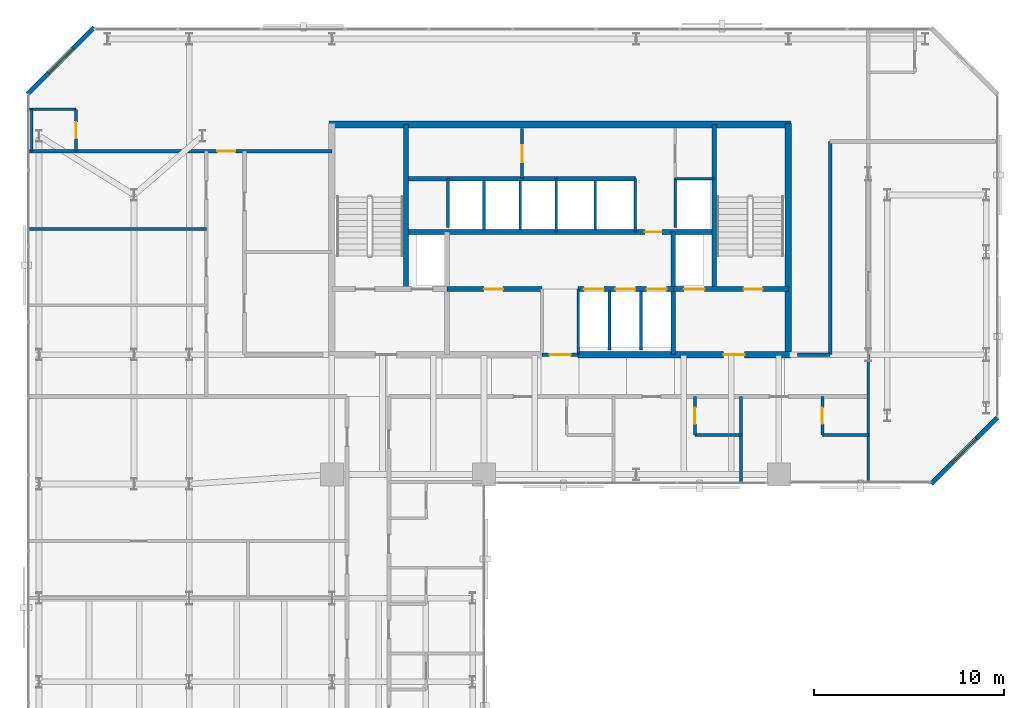
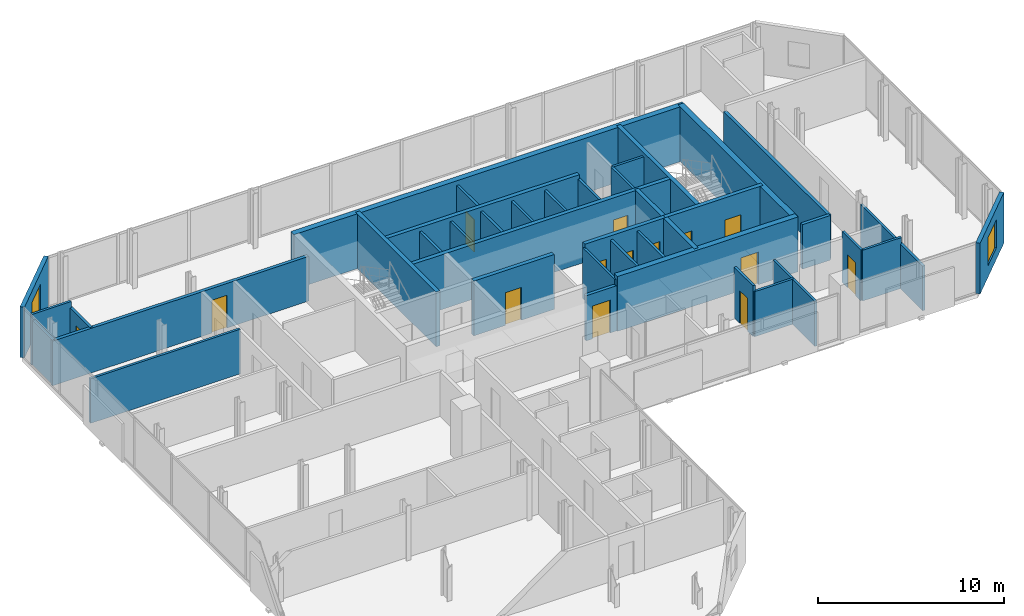
# One storey, part 29 of 32: 39 walls, 14 doors, 2 windows, 16 openings.
"""IFC4 building model written with IfcOpenShell, lengths in metres."""

from ifc_helpers import new_model, si_unit, direction, frame, frame_2d, origin, place, context, subcontext, project, spatial, rectangle, extrude, material, layer, layer_set, type_object, element, fill, save


model = new_model("IFC4")

# Units and contexts
model_context = context("Model", 3, precision=1e-05, world=origin(), true_north=direction((0.0, 1.0)))
body_context = subcontext(model_context, "Body", "Model", "MODEL_VIEW")
ifc_project = project(units=[si_unit("LENGTHUNIT", "METRE"), si_unit("AREAUNIT", "SQUARE_METRE"), si_unit("VOLUMEUNIT", "CUBIC_METRE"), si_unit("PLANEANGLEUNIT", "RADIAN"), si_unit("MASSUNIT", "GRAM", prefix="KILO")], contexts=[model_context])

# Site, building, storey
site_placement = place(None, origin())
site = spatial("IfcSite", under=ifc_project, at=site_placement, CompositionType="ELEMENT")
building_placement = place(site_placement, origin())
building = spatial("IfcBuilding", under=site, at=building_placement, Name="Catumbela Crestline Tower", CompositionType="ELEMENT")
storey_placement = place(building_placement, frame((0.0, 0.0, 133.2)))
storey = spatial("IfcBuildingStorey", under=building, at=storey_placement, Name="L34", CompositionType="ELEMENT", Elevation=133.2)

# Walls
ifc_material_1 = material(Name="Concrete C50/60", Category="concrete")
ifc_layer_1 = layer(ifc_material_1, 0.25, Name="Concrete C50/60")
ifc_layer_set_1 = layer_set([ifc_layer_1], Name="Concrete C50/60")
wall_type_1 = type_object("IfcWallType", Name="CW-250D", PredefinedType="SHEAR", material=ifc_layer_set_1)
for number, where, z_axis, x_axis, name in (
    (1, (19.9, 34.25, 0.0), (0.0, 0.0, 1.0), (0.0, 1.0, 0.0), "L34 Structural Core Shear Wall WWEB"),
    (2, (36.1, 34.25, 0.0), (0.0, 0.0, 1.0), (0.0, 1.0, 0.0), "L34 Structural Core Shear Wall EWEB"),
):
    element("IfcWall", number, at=place(storey_placement, frame(where, z_axis=z_axis, x_axis=x_axis)), inside=storey, type_object=wall_type_1, Name=name, PredefinedType="SHEAR", context=body_context, shape_type="SweptSolid", body=[
        extrude(rectangle(XDim=8.65, YDim=0.25, at=frame_2d((4.325, 0.0))), origin(), (0.0, 0.0, 1.0), 3.6),
    ])
wall_1_placement = place(storey_placement, frame((33.95, 30.8, 0.0), z_axis=(0.0, 0.0, 1.0), x_axis=(0.0, 1.0, 0.0)))
element("IfcWall", 3, at=wall_1_placement, inside=storey, type_object=wall_type_1, Name="L34 Structural Core Shear Wall FFE", PredefinedType="SHEAR", context=body_context, shape_type="SweptSolid", body=[
    extrude(rectangle(XDim=6.45, YDim=0.25, at=frame_2d((3.225, 0.0))), origin(), (0.0, 0.0, 1.0), 3.6),
])

# Wall, openings, doors
wall_2_placement = place(storey_placement, frame((33.95, 34.25, 0.0), z_axis=(0.0, 0.0, 1.0), x_axis=(1.0, 0.0, 0.0)))
wall_2 = element("IfcWall", 4, at=wall_2_placement, inside=storey, type_object=wall_type_1, Name="L34 Structural Core Shear Wall ST2S", PredefinedType="SHEAR", context=body_context, shape_type="SweptSolid", body=[
    extrude(rectangle(XDim=6.05, YDim=0.25, at=frame_2d((3.025, 0.0))), origin(), (0.0, 0.0, 1.0), 3.6),
])
opening_1_placement = place(wall_2_placement, frame((3.7, 0.0, 0.0)))
opening_1 = element("IfcOpeningElement", 5, at=opening_1_placement, cuts=wall_2, Name="Opening DF9-100", PredefinedType="OPENING", context=body_context, shape_type="SweptSolid", body=[
    extrude(rectangle(XDim=1.0, YDim=2.15, at=frame_2d((0.5, 1.075))), frame((0.0, 0.135, 0.0), z_axis=(0.0, -1.0, 0.0), x_axis=(1.0, 0.0, 0.0)), (0.0, 0.0, 1.0), 0.27),
])
opening_2_placement = place(wall_2_placement, frame((0.55, 0.0, 0.0)))
opening_2 = element("IfcOpeningElement", 6, at=opening_2_placement, cuts=wall_2, Name="Opening LD-110", PredefinedType="OPENING", context=body_context, shape_type="SweptSolid", body=[
    extrude(rectangle(XDim=1.1, YDim=2.15, at=frame_2d((0.55, 1.075))), frame((0.0, 0.135, 0.0), z_axis=(0.0, -1.0, 0.0), x_axis=(1.0, 0.0, 0.0)), (0.0, 0.0, 1.0), 0.27),
])
ifc_material_2 = material(Name="Stainless steel EN 1.4401", Category="steel")
door_type_1 = type_object("IfcDoorType", Name="DF9-100", OperationType="NOTDEFINED", PredefinedType="DOOR", material=ifc_material_2)
door_1_placement = place(opening_1_placement, origin())
door_1 = element("IfcDoor", 7, at=door_1_placement, inside=storey, type_object=door_type_1, Name="L34 Interior Door DR-L34-ST02", OperationType="SINGLE_SWING_RIGHT", OverallHeight=2.15, OverallWidth=1.0, PredefinedType="DOOR", context=body_context, shape_type="SweptSolid", body=[
    extrude(rectangle(XDim=1.0, YDim=2.15, at=frame_2d((0.5, 1.075))), frame((0.0, 0.025, 0.0), z_axis=(0.0, -1.0, 0.0), x_axis=(1.0, 0.0, 0.0)), (0.0, 0.0, 1.0), 0.05),
])
fill(opening_1, door_1)
door_type_2 = type_object("IfcDoorType", Name="LD-110", OperationType="NOTDEFINED", PredefinedType="DOOR", material=ifc_material_2)
door_2_placement = place(opening_2_placement, origin())
door_2 = element("IfcDoor", 8, at=door_2_placement, inside=storey, type_object=door_type_2, Name="L34 Lift Landing Sliding Door FL-02", OperationType="DOUBLE_DOOR_SLIDING", OverallHeight=2.15, OverallWidth=1.1, PredefinedType="DOOR", context=body_context, shape_type="SweptSolid", body=[
    extrude(rectangle(XDim=1.1, YDim=2.15, at=frame_2d((0.55, 1.075))), frame((0.0, 0.025, 0.0), z_axis=(0.0, -1.0, 0.0), x_axis=(1.0, 0.0, 0.0)), (0.0, 0.0, 1.0), 0.05),
])
fill(opening_2, door_2)

# Wall, opening, door
wall_3_placement = place(storey_placement, frame((22.05, 34.25, 0.0), z_axis=(0.0, 0.0, 1.0), x_axis=(1.0, 0.0, 0.0)))
wall_3 = element("IfcWall", 9, at=wall_3_placement, inside=storey, type_object=wall_type_1, Name="L34 Structural Core Shear Wall LIFTS-W", PredefinedType="SHEAR", context=body_context, shape_type="SweptSolid", body=[
    extrude(rectangle(XDim=5.0, YDim=0.25, at=frame_2d((2.5, 0.0))), origin(), (0.0, 0.0, 1.0), 3.6),
])
opening_3_placement = place(wall_3_placement, frame((1.95, 0.0, 0.0)))
opening_3 = element("IfcOpeningElement", 10, at=opening_3_placement, cuts=wall_3, Name="Opening DF9-100", PredefinedType="OPENING", context=body_context, shape_type="SweptSolid", body=[
    extrude(rectangle(XDim=1.0, YDim=2.15, at=frame_2d((0.5, 1.075))), frame((0.0, 0.135, 0.0), z_axis=(0.0, -1.0, 0.0), x_axis=(1.0, 0.0, 0.0)), (0.0, 0.0, 1.0), 0.27),
])
door_3_placement = place(opening_3_placement, origin())
door_3 = element("IfcDoor", 11, at=door_3_placement, inside=storey, type_object=door_type_1, Name="L34 Interior Door DR-L34-RECL1", OperationType="SINGLE_SWING_LEFT", OverallHeight=2.15, OverallWidth=1.0, PredefinedType="DOOR", context=body_context, shape_type="SweptSolid", body=[
    extrude(rectangle(XDim=1.0, YDim=2.15, at=frame_2d((0.5, 1.075))), frame((0.0, 0.025, 0.0), z_axis=(0.0, -1.0, 0.0), x_axis=(1.0, 0.0, 0.0)), (0.0, 0.0, 1.0), 0.05),
])
fill(opening_3, door_3)

# Wall, openings, doors
wall_4_placement = place(storey_placement, frame((28.95, 34.25, 0.0), z_axis=(0.0, 0.0, 1.0), x_axis=(1.0, 0.0, 0.0)))
wall_4 = element("IfcWall", 12, at=wall_4_placement, inside=storey, type_object=wall_type_1, Name="L34 Structural Core Shear Wall LIFTS-E", PredefinedType="SHEAR", context=body_context, shape_type="SweptSolid", body=[
    extrude(rectangle(XDim=5.0, YDim=0.25, at=frame_2d((2.5, 0.0))), origin(), (0.0, 0.0, 1.0), 3.6),
])
opening_4_placement = place(wall_4_placement, frame((0.3, 0.0, 0.0)))
opening_4 = element("IfcOpeningElement", 13, at=opening_4_placement, cuts=wall_4, Name="Opening LD-105", PredefinedType="OPENING", context=body_context, shape_type="SweptSolid", body=[
    extrude(rectangle(XDim=1.05, YDim=2.15, at=frame_2d((0.525, 1.075))), frame((0.0, 0.135, 0.0), z_axis=(0.0, -1.0, 0.0), x_axis=(1.0, 0.0, 0.0)), (0.0, 0.0, 1.0), 0.27),
])
opening_5_placement = place(wall_4_placement, frame((1.95, 0.0, 0.0)))
opening_5 = element("IfcOpeningElement", 14, at=opening_5_placement, cuts=wall_4, Name="Opening LD-105", PredefinedType="OPENING", context=body_context, shape_type="SweptSolid", body=[
    extrude(rectangle(XDim=1.05, YDim=2.15, at=frame_2d((0.525, 1.075))), frame((0.0, 0.135, 0.0), z_axis=(0.0, -1.0, 0.0), x_axis=(1.0, 0.0, 0.0)), (0.0, 0.0, 1.0), 0.27),
])
opening_6_placement = place(wall_4_placement, frame((3.6, 0.0, 0.0)))
opening_6 = element("IfcOpeningElement", 15, at=opening_6_placement, cuts=wall_4, Name="Opening LD-105", PredefinedType="OPENING", context=body_context, shape_type="SweptSolid", body=[
    extrude(rectangle(XDim=1.05, YDim=2.15, at=frame_2d((0.525, 1.075))), frame((0.0, 0.135, 0.0), z_axis=(0.0, -1.0, 0.0), x_axis=(1.0, 0.0, 0.0)), (0.0, 0.0, 1.0), 0.27),
])
door_type_3 = type_object("IfcDoorType", Name="LD-105", OperationType="NOTDEFINED", PredefinedType="DOOR", material=ifc_material_2)
door_4_placement = place(opening_4_placement, origin())
door_4 = element("IfcDoor", 16, at=door_4_placement, inside=storey, type_object=door_type_3, Name="L34 Lift Landing Sliding Door PL-M1", OperationType="DOUBLE_DOOR_SLIDING", OverallHeight=2.15, OverallWidth=1.05, PredefinedType="DOOR", context=body_context, shape_type="SweptSolid", body=[
    extrude(rectangle(XDim=1.05, YDim=2.15, at=frame_2d((0.525, 1.075))), frame((0.0, 0.025, 0.0), z_axis=(0.0, -1.0, 0.0), x_axis=(1.0, 0.0, 0.0)), (0.0, 0.0, 1.0), 0.05),
])
fill(opening_4, door_4)
door_5_placement = place(opening_5_placement, origin())
door_5 = element("IfcDoor", 17, at=door_5_placement, inside=storey, type_object=door_type_3, Name="L34 Lift Landing Sliding Door PL-M2", OperationType="DOUBLE_DOOR_SLIDING", OverallHeight=2.15, OverallWidth=1.05, PredefinedType="DOOR", context=body_context, shape_type="SweptSolid", body=[
    extrude(rectangle(XDim=1.05, YDim=2.15, at=frame_2d((0.525, 1.075))), frame((0.0, 0.025, 0.0), z_axis=(0.0, -1.0, 0.0), x_axis=(1.0, 0.0, 0.0)), (0.0, 0.0, 1.0), 0.05),
])
fill(opening_5, door_5)
door_6_placement = place(opening_6_placement, origin())
door_6 = element("IfcDoor", 18, at=door_6_placement, inside=storey, type_object=door_type_3, Name="L34 Lift Landing Sliding Door PL-M3", OperationType="DOUBLE_DOOR_SLIDING", OverallHeight=2.15, OverallWidth=1.05, PredefinedType="DOOR", context=body_context, shape_type="SweptSolid", body=[
    extrude(rectangle(XDim=1.05, YDim=2.15, at=frame_2d((0.525, 1.075))), frame((0.0, 0.025, 0.0), z_axis=(0.0, -1.0, 0.0), x_axis=(1.0, 0.0, 0.0)), (0.0, 0.0, 1.0), 0.05),
])
fill(opening_6, door_6)

# Wall, opening, door
wall_5_placement = place(storey_placement, frame((19.9, 37.25, 0.0), z_axis=(0.0, 0.0, 1.0), x_axis=(1.0, 0.0, 0.0)))
wall_5 = element("IfcWall", 19, at=wall_5_placement, inside=storey, type_object=wall_type_1, Name="L34 Structural Core Shear Wall LIFTN", PredefinedType="SHEAR", context=body_context, shape_type="SweptSolid", body=[
    extrude(rectangle(XDim=16.2, YDim=0.25, at=frame_2d((8.1, 0.0))), origin(), (0.0, 0.0, 1.0), 3.6),
])
opening_7_placement = place(wall_5_placement, frame((12.55, 0.0, 0.0)))
opening_7 = element("IfcOpeningElement", 20, at=opening_7_placement, cuts=wall_5, Name="Opening DF9-090", PredefinedType="OPENING", context=body_context, shape_type="SweptSolid", body=[
    extrude(rectangle(XDim=0.9, YDim=2.15, at=frame_2d((0.45, 1.075))), frame((0.0, 0.135, 0.0), z_axis=(0.0, -1.0, 0.0), x_axis=(1.0, 0.0, 0.0)), (0.0, 0.0, 1.0), 0.27),
])
door_type_4 = type_object("IfcDoorType", Name="DF9-090", OperationType="NOTDEFINED", PredefinedType="DOOR", material=ifc_material_2)
door_7_placement = place(opening_7_placement, origin())
door_7 = element("IfcDoor", 21, at=door_7_placement, inside=storey, type_object=door_type_4, Name="L34 Interior Door DR-L34-CPAS1", OperationType="SINGLE_SWING_LEFT", OverallHeight=2.15, OverallWidth=0.9, PredefinedType="DOOR", context=body_context, shape_type="SweptSolid", body=[
    extrude(rectangle(XDim=0.9, YDim=2.15, at=frame_2d((0.45, 1.075))), frame((0.0, 0.025, 0.0), z_axis=(0.0, -1.0, 0.0), x_axis=(1.0, 0.0, 0.0)), (0.0, 0.0, 1.0), 0.05),
])
fill(opening_7, door_7)

# Walls
wall_6_placement = place(storey_placement, frame((19.9, 40.05, 0.0), z_axis=(0.0, 0.0, 1.0), x_axis=(1.0, 0.0, 0.0)))
element("IfcWall", 22, at=wall_6_placement, inside=storey, type_object=wall_type_1, Name="L34 Structural Core Shear Wall COREN", PredefinedType="SHEAR", context=body_context, shape_type="SweptSolid", body=[
    extrude(rectangle(XDim=12.05, YDim=0.25, at=frame_2d((6.025, 0.0))), origin(), (0.0, 0.0, 1.0), 3.6),
])
ifc_layer_2 = layer(ifc_material_1, 0.35, Name="Concrete C50/60")
ifc_layer_set_2 = layer_set([ifc_layer_2], Name="Concrete C50/60")
wall_type_2 = type_object("IfcWallType", Name="CW-350B", PredefinedType="SHEAR", material=ifc_layer_set_2)
wall_7_placement = place(storey_placement, frame((40.0, 30.65, 0.0), z_axis=(0.0, 0.0, 1.0), x_axis=(0.0, 1.0, 0.0)))
element("IfcWall", 23, at=wall_7_placement, inside=storey, type_object=wall_type_2, Name="L34 Structural Core Shear Wall E", PredefinedType="SHEAR", context=body_context, shape_type="SweptSolid", body=[
    extrude(rectangle(XDim=12.3, YDim=0.35, at=frame_2d((6.15, 0.0))), origin(), (0.0, 0.0, 1.0), 3.6),
])
wall_8_placement = place(storey_placement, frame((15.85, 42.9, 0.0), z_axis=(0.0, 0.0, 1.0), x_axis=(1.0, 0.0, 0.0)))
element("IfcWall", 24, at=wall_8_placement, inside=storey, type_object=wall_type_2, Name="L34 Structural Core Shear Wall N", PredefinedType="SHEAR", context=body_context, shape_type="SweptSolid", body=[
    extrude(rectangle(XDim=24.3, YDim=0.35, at=frame_2d((12.15, 0.0))), origin(), (0.0, 0.0, 1.0), 3.6),
])

# Wall, opening, door
wall_9_placement = place(storey_placement, frame((28.95, 30.8, 0.0), z_axis=(0.0, 0.0, 1.0), x_axis=(1.0, 0.0, 0.0)))
wall_9 = element("IfcWall", 25, at=wall_9_placement, inside=storey, type_object=wall_type_2, Name="L34 Structural Core Shear Wall SE", PredefinedType="SHEAR", context=body_context, shape_type="SweptSolid", body=[
    extrude(rectangle(XDim=11.2, YDim=0.35, at=frame_2d((5.6, 0.0))), origin(), (0.0, 0.0, 1.0), 3.6),
])
opening_8_placement = place(wall_9_placement, frame((7.65, 0.0, 0.0)))
opening_8 = element("IfcOpeningElement", 26, at=opening_8_placement, cuts=wall_9, Name="Opening DF9-110", PredefinedType="OPENING", context=body_context, shape_type="SweptSolid", body=[
    extrude(rectangle(XDim=1.1, YDim=2.15, at=frame_2d((0.55, 1.075))), frame((0.0, 0.185, 0.0), z_axis=(0.0, -1.0, 0.0), x_axis=(1.0, 0.0, 0.0)), (0.0, 0.0, 1.0), 0.37),
])
door_type_5 = type_object("IfcDoorType", Name="DF9-110", OperationType="NOTDEFINED", PredefinedType="DOOR", material=ifc_material_2)
door_8_placement = place(opening_8_placement, origin())
door_8 = element("IfcDoor", 27, at=door_8_placement, inside=storey, type_object=door_type_5, Name="L34 Interior Door DR-L34-FFE-S", OperationType="SINGLE_SWING_RIGHT", OverallHeight=2.15, OverallWidth=1.1, PredefinedType="DOOR", context=body_context, shape_type="SweptSolid", body=[
    extrude(rectangle(XDim=1.1, YDim=2.15, at=frame_2d((0.55, 1.075))), frame((0.0, 0.025, 0.0), z_axis=(0.0, -1.0, 0.0), x_axis=(1.0, 0.0, 0.0)), (0.0, 0.0, 1.0), 0.05),
])
fill(opening_8, door_8)

ifc_material_3 = material(Name="Acoustic gypsum and mineral-wool partition")
ifc_layer_3 = layer(ifc_material_3, 0.2, Name="Acoustic gypsum and mineral-wool partition")
ifc_layer_set_3 = layer_set([ifc_layer_3], Name="Acoustic gypsum and mineral-wool partition")
wall_type_3 = type_object("IfcWallType", Name="WC-200", PredefinedType="PARTITIONING", material=ifc_layer_set_3)
wall_10_placement = place(storey_placement, frame((27.05, 30.8, 0.0), z_axis=(0.0, 0.0, 1.0), x_axis=(1.0, 0.0, 0.0)))
wall_10 = element("IfcWall", 28, at=wall_10_placement, inside=storey, type_object=wall_type_3, Name="L34 Interior Partition PW-L34-CLOBS", PredefinedType="PARTITIONING", context=body_context, shape_type="SweptSolid", body=[
    extrude(rectangle(XDim=1.9, YDim=0.2, at=frame_2d((0.95, 0.0))), origin(), (0.0, 0.0, 1.0), 2.96),
])
opening_9_placement = place(wall_10_placement, frame((0.4, 0.0, 0.0)))
opening_9 = element("IfcOpeningElement", 29, at=opening_9_placement, cuts=wall_10, Name="Opening DF9-110", PredefinedType="OPENING", context=body_context, shape_type="SweptSolid", body=[
    extrude(rectangle(XDim=1.1, YDim=2.15, at=frame_2d((0.55, 1.075))), frame((0.0, 0.11, 0.0), z_axis=(0.0, -1.0, 0.0), x_axis=(1.0, 0.0, 0.0)), (0.0, 0.0, 1.0), 0.22),
])
door_9_placement = place(opening_9_placement, origin())
door_9 = element("IfcDoor", 30, at=door_9_placement, inside=storey, type_object=door_type_5, Name="L34 Interior Door DR-L34-CLOBS", OperationType="SINGLE_SWING_LEFT", OverallHeight=2.15, OverallWidth=1.1, PredefinedType="DOOR", context=body_context, shape_type="SweptSolid", body=[
    extrude(rectangle(XDim=1.1, YDim=2.15, at=frame_2d((0.55, 1.075))), frame((0.0, 0.025, 0.0), z_axis=(0.0, -1.0, 0.0), x_axis=(1.0, 0.0, 0.0)), (0.0, 0.0, 1.0), 0.05),
])
fill(opening_9, door_9)

# Walls
wall_11_placement = place(storey_placement, frame((40.47, 30.8, 0.0), z_axis=(0.0, 0.0, 1.0), x_axis=(1.0, 0.0, 0.0)))
element("IfcWall", 31, at=wall_11_placement, inside=storey, type_object=wall_type_3, Name="L34 Interior Partition PW-L34-Z2CW-E1", PredefinedType="PARTITIONING", context=body_context, shape_type="SweptSolid", body=[
    extrude(rectangle(XDim=1.73, YDim=0.2, at=frame_2d((0.865, 0.0))), origin(), (0.0, 0.0, 1.0), 2.93),
])
wall_12_placement = place(storey_placement, frame((42.2, 30.8, 0.0), z_axis=(0.0, 0.0, 1.0), x_axis=(0.0, 1.0, 0.0)))
element("IfcWall", 32, at=wall_12_placement, inside=storey, type_object=wall_type_3, Name="L34 Interior Partition PW-L34-Z2CW-E2", PredefinedType="PARTITIONING", context=body_context, shape_type="SweptSolid", body=[
    extrude(rectangle(XDim=11.2, YDim=0.2, at=frame_2d((5.6, 0.0))), origin(), (0.0, 0.0, 1.0), 2.93),
])

# Wall, opening, door
wall_13_placement = place(storey_placement, frame((0.1, 41.5, 0.0), z_axis=(0.0, 0.0, 1.0), x_axis=(1.0, 0.0, 0.0)))
wall_13 = element("IfcWall", 33, at=wall_13_placement, inside=storey, type_object=wall_type_3, Name="L34 Interior Partition PW-L34-Z2NWT-ENT", PredefinedType="PARTITIONING", context=body_context, shape_type="SweptSolid", body=[
    extrude(rectangle(XDim=15.9, YDim=0.2, at=frame_2d((7.95, 0.0))), origin(), (0.0, 0.0, 1.0), 2.93),
])
opening_10_placement = place(wall_13_placement, frame((9.8771, 0.0, 0.0)))
opening_10 = element("IfcOpeningElement", 34, at=opening_10_placement, cuts=wall_13, Name="Opening DF6-095", PredefinedType="OPENING", context=body_context, shape_type="SweptSolid", body=[
    extrude(rectangle(XDim=0.95, YDim=2.15, at=frame_2d((0.475, 1.075))), frame((0.0, 0.11, 0.0), z_axis=(0.0, -1.0, 0.0), x_axis=(1.0, 0.0, 0.0)), (0.0, 0.0, 1.0), 0.22),
])
ifc_material_4 = material(Name="Aluminium alloy AW-6060-T66", Category="aluminium")
door_type_6 = type_object("IfcDoorType", Name="DF6-095", OperationType="NOTDEFINED", PredefinedType="DOOR", material=ifc_material_4)
door_10_placement = place(opening_10_placement, origin())
door_10 = element("IfcDoor", 35, at=door_10_placement, inside=storey, type_object=door_type_6, Name="L34 Interior Door DR-L34-Z2NWT-ENT", OperationType="SINGLE_SWING_RIGHT", OverallHeight=2.15, OverallWidth=0.95, PredefinedType="DOOR", context=body_context, shape_type="SweptSolid", body=[
    extrude(rectangle(XDim=0.95, YDim=2.15, at=frame_2d((0.475, 1.075))), frame((0.0, 0.025, 0.0), z_axis=(0.0, -1.0, 0.0), x_axis=(1.0, 0.0, 0.0)), (0.0, 0.0, 1.0), 0.05),
])
fill(opening_10, door_10)

# Wall, opening, window
ifc_material_5 = material(Name="Angolan grey-ochre granite", Category="masonry")
ifc_layer_4 = layer(ifc_material_5, 0.25, Name="Angolan grey-ochre granite")
ifc_layer_set_4 = layer_set([ifc_layer_4], Name="Angolan grey-ochre granite")
wall_type_4 = type_object("IfcWallType", Name="WE-250", PredefinedType="STANDARD", material=ifc_layer_set_4)
wall_14_placement = place(storey_placement, frame((47.5, 24.0, 0.0), z_axis=(0.0, 0.0, 1.0), x_axis=(0.707106781187, 0.707106781187, 0.0)))
wall_14 = element("IfcWall", 36, at=wall_14_placement, inside=storey, type_object=wall_type_4, Name="L34 Granite Punched Window Wall 4-1", PredefinedType="STANDARD", context=body_context, shape_type="SweptSolid", body=[
    extrude(rectangle(XDim=4.9497, YDim=0.25, at=frame_2d((2.4748, 0.0))), origin(), (0.0, 0.0, 1.0), 3.33),
])
opening_11_placement = place(wall_14_placement, frame((1.5749, 0.0, 0.75)))
opening_11 = element("IfcOpeningElement", 37, at=opening_11_placement, cuts=wall_14, Name="Opening WN-01", PredefinedType="OPENING", context=body_context, shape_type="SweptSolid", body=[
    extrude(rectangle(XDim=1.8, YDim=1.85, at=frame_2d((0.9, 0.925))), frame((0.0, 0.135, 0.0), z_axis=(0.0, -1.0, 0.0), x_axis=(1.0, 0.0, 0.0)), (0.0, 0.0, 1.0), 0.27),
])
ifc_material_6 = material(Name="Low-E laminated solar-control double glazing", Category="glass")
window_type = type_object("IfcWindowType", Name="WF-1800", PartitioningType="SINGLE_PANEL", PredefinedType="WINDOW", material=ifc_material_6)
window_1_placement = place(opening_11_placement, origin())
window_1 = element("IfcWindow", 38, at=window_1_placement, inside=storey, type_object=window_type, Name="L34 Facade Vision Window 191", OverallHeight=1.85, OverallWidth=1.8, PartitioningType="SINGLE_PANEL", PredefinedType="WINDOW", context=body_context, shape_type="SweptSolid", body=[
    extrude(rectangle(XDim=1.8, YDim=1.85, at=frame_2d((0.9, 0.925))), frame((0.0, 0.03, 0.0), z_axis=(0.0, -1.0, 0.0), x_axis=(1.0, 0.0, 0.0)), (0.0, 0.0, 1.0), 0.06),
])
fill(opening_11, window_1)

wall_15_placement = place(storey_placement, frame((3.5, 48.0, 0.0), z_axis=(0.0, 0.0, 1.0), x_axis=(-0.707106781187, -0.707106781187, 0.0)))
wall_15 = element("IfcWall", 39, at=wall_15_placement, inside=storey, type_object=wall_type_4, Name="L34 Granite Punched Window Wall 8-1", PredefinedType="STANDARD", context=body_context, shape_type="SweptSolid", body=[
    extrude(rectangle(XDim=4.9497, YDim=0.25, at=frame_2d((2.4748, 0.0))), origin(), (0.0, 0.0, 1.0), 3.33),
])
opening_12_placement = place(wall_15_placement, frame((1.5749, 0.0, 0.75)))
opening_12 = element("IfcOpeningElement", 40, at=opening_12_placement, cuts=wall_15, Name="Opening WN-01", PredefinedType="OPENING", context=body_context, shape_type="SweptSolid", body=[
    extrude(rectangle(XDim=1.8, YDim=1.85, at=frame_2d((0.9, 0.925))), frame((0.0, 0.135, 0.0), z_axis=(0.0, -1.0, 0.0), x_axis=(1.0, 0.0, 0.0)), (0.0, 0.0, 1.0), 0.27),
])
window_2_placement = place(opening_12_placement, origin())
window_2 = element("IfcWindow", 41, at=window_2_placement, inside=storey, type_object=window_type, Name="L34 Facade Vision Window 193", OverallHeight=1.85, OverallWidth=1.8, PartitioningType="SINGLE_PANEL", PredefinedType="WINDOW", context=body_context, shape_type="SweptSolid", body=[
    extrude(rectangle(XDim=1.8, YDim=1.85, at=frame_2d((0.9, 0.925))), frame((0.0, 0.03, 0.0), z_axis=(0.0, -1.0, 0.0), x_axis=(1.0, 0.0, 0.0)), (0.0, 0.0, 1.0), 0.06),
])
fill(opening_12, window_2)

# Wall
ifc_layer_5 = layer(ifc_material_3, 0.15, Name="Acoustic gypsum and mineral-wool partition")
ifc_layer_set_5 = layer_set([ifc_layer_5], Name="Acoustic gypsum and mineral-wool partition")
wall_type_5 = type_object("IfcWallType", Name="WP-150", PredefinedType="PARTITIONING", material=ifc_layer_set_5)
wall_16_placement = place(storey_placement, frame((34.05, 40.05, 0.0), z_axis=(0.0, 0.0, 1.0), x_axis=(1.0, 0.0, 0.0)))
element("IfcWall", 42, at=wall_16_placement, inside=storey, type_object=wall_type_5, Name="L34 Interior Partition PW-L34-CR-ES", PredefinedType="PARTITIONING", context=body_context, shape_type="SweptSolid", body=[
    extrude(rectangle(XDim=2.05, YDim=0.15, at=frame_2d((1.025, 0.0))), origin(), (0.0, 0.0, 1.0), 3.33),
])

# Wall, opening, door
wall_17_placement = place(storey_placement, frame((26.0, 40.05, 0.0), z_axis=(0.0, 0.0, 1.0), x_axis=(0.0, 1.0, 0.0)))
wall_17 = element("IfcWall", 43, at=wall_17_placement, inside=storey, type_object=wall_type_5, Name="L34 Interior Partition PW-L34-CR-WW", PredefinedType="PARTITIONING", context=body_context, shape_type="SweptSolid", body=[
    extrude(rectangle(XDim=2.63, YDim=0.15, at=frame_2d((1.315, 0.0))), origin(), (0.0, 0.0, 1.0), 3.33),
])
opening_13_placement = place(wall_17_placement, frame((0.865, 0.0, 0.0)))
opening_13 = element("IfcOpeningElement", 44, at=opening_13_placement, cuts=wall_17, Name="Opening DF9-090", PredefinedType="OPENING", context=body_context, shape_type="SweptSolid", body=[
    extrude(rectangle(XDim=0.9, YDim=2.15, at=frame_2d((0.45, 1.075))), frame((0.0, 0.085, 0.0), z_axis=(0.0, -1.0, 0.0), x_axis=(1.0, 0.0, 0.0)), (0.0, 0.0, 1.0), 0.17),
])
door_11_placement = place(opening_13_placement, origin())
door_11 = element("IfcDoor", 45, at=door_11_placement, inside=storey, type_object=door_type_4, Name="L34 Interior Door DR-L34-CRWEST", OperationType="SINGLE_SWING_LEFT", OverallHeight=2.15, OverallWidth=0.9, PredefinedType="DOOR", context=body_context, shape_type="SweptSolid", body=[
    extrude(rectangle(XDim=0.9, YDim=2.15, at=frame_2d((0.45, 1.075))), frame((0.0, 0.025, 0.0), z_axis=(0.0, -1.0, 0.0), x_axis=(1.0, 0.0, 0.0)), (0.0, 0.0, 1.0), 0.05),
])
fill(opening_13, door_11)

# Wall
wall_18_placement = place(storey_placement, frame((0.1, 43.7, 0.0), z_axis=(0.0, 0.0, 1.0), x_axis=(1.0, 0.0, 0.0)))
element("IfcWall", 46, at=wall_18_placement, inside=storey, type_object=wall_type_5, Name="L34 Interior Partition PW-L34-Z2NWT-BHW", PredefinedType="PARTITIONING", context=body_context, shape_type="SweptSolid", body=[
    extrude(rectangle(XDim=2.45, YDim=0.15, at=frame_2d((1.225, 0.0))), origin(), (0.0, 0.0, 1.0), 3.33),
])

# Wall, opening, door
wall_19_placement = place(storey_placement, frame((2.55, 41.5, 0.0), z_axis=(0.0, 0.0, 1.0), x_axis=(0.0, 1.0, 0.0)))
wall_19 = element("IfcWall", 47, at=wall_19_placement, inside=storey, type_object=wall_type_5, Name="L34 Interior Partition PW-L34-Z2NWT-BEW", PredefinedType="PARTITIONING", context=body_context, shape_type="SweptSolid", body=[
    extrude(rectangle(XDim=2.2, YDim=0.15, at=frame_2d((1.1, 0.0))), origin(), (0.0, 0.0, 1.0), 2.93),
])
opening_14_placement = place(wall_19_placement, frame((0.675, 0.0, 0.0)))
opening_14 = element("IfcOpeningElement", 48, at=opening_14_placement, cuts=wall_19, Name="Opening DI-085", PredefinedType="OPENING", context=body_context, shape_type="SweptSolid", body=[
    extrude(rectangle(XDim=0.85, YDim=2.15, at=frame_2d((0.425, 1.075))), frame((0.0, 0.085, 0.0), z_axis=(0.0, -1.0, 0.0), x_axis=(1.0, 0.0, 0.0)), (0.0, 0.0, 1.0), 0.17),
])
door_type_7 = type_object("IfcDoorType", Name="DI-085", OperationType="NOTDEFINED", PredefinedType="DOOR", material=ifc_material_4)
door_12_placement = place(opening_14_placement, origin())
door_12 = element("IfcDoor", 49, at=door_12_placement, inside=storey, type_object=door_type_7, Name="L34 Interior Door DR-L34-Z2NWT-BTH", OperationType="SINGLE_SWING_LEFT", OverallHeight=2.15, OverallWidth=0.85, PredefinedType="DOOR", context=body_context, shape_type="SweptSolid", body=[
    extrude(rectangle(XDim=0.85, YDim=2.15, at=frame_2d((0.425, 1.075))), frame((0.0, 0.025, 0.0), z_axis=(0.0, -1.0, 0.0), x_axis=(1.0, 0.0, 0.0)), (0.0, 0.0, 1.0), 0.05),
])
fill(opening_14, door_12)

# Walls
wall_20_placement = place(storey_placement, frame((0.22, 41.5, 0.0), z_axis=(0.0, 0.0, 1.0), x_axis=(0.0, 1.0, 0.0)))
element("IfcWall", 50, at=wall_20_placement, inside=storey, type_object=wall_type_5, Name="L34 Interior Partition PW-L34-Z2NWT-BCL-2", PredefinedType="PARTITIONING", context=body_context, shape_type="SweptSolid", body=[
    extrude(rectangle(XDim=2.2, YDim=0.15, at=frame_2d((1.1, 0.0))), origin(), (0.0, 0.0, 1.0), 2.93),
])
wall_21_placement = place(storey_placement, frame((0.1, 37.4, 0.0), z_axis=(0.0, 0.0, 1.0), x_axis=(1.0, 0.0, 0.0)))
element("IfcWall", 51, at=wall_21_placement, inside=storey, type_object=wall_type_5, Name="L34 Interior Partition PW-L34-Z2G4-2", PredefinedType="PARTITIONING", context=body_context, shape_type="SweptSolid", body=[
    extrude(rectangle(XDim=9.3, YDim=0.15, at=frame_2d((4.65, 0.0))), origin(), (0.0, 0.0, 1.0), 2.93),
])
wall_22_placement = place(storey_placement, frame((35.088, 26.576, 0.0), z_axis=(0.0, 0.0, 1.0), x_axis=(1.0, 0.0, 0.0)))
element("IfcWall", 52, at=wall_22_placement, inside=storey, type_object=wall_type_5, Name="L34 Interior Partition PW-L34-SS2-BHW", PredefinedType="PARTITIONING", context=body_context, shape_type="SweptSolid", body=[
    extrude(rectangle(XDim=2.412, YDim=0.15, at=frame_2d((1.206, 0.0))), origin(), (0.0, 0.0, 1.0), 2.96),
])

# Wall, opening, door
wall_23_placement = place(storey_placement, frame((35.088, 26.576, 0.0), z_axis=(0.0, 0.0, 1.0), x_axis=(0.0, 1.0, 0.0)))
wall_23 = element("IfcWall", 53, at=wall_23_placement, inside=storey, type_object=wall_type_5, Name="L34 Interior Partition PW-L34-SS2-BWW", PredefinedType="PARTITIONING", context=body_context, shape_type="SweptSolid", body=[
    extrude(rectangle(XDim=2.024, YDim=0.15, at=frame_2d((1.012, 0.0))), origin(), (0.0, 0.0, 1.0), 3.33),
])
opening_15_placement = place(wall_23_placement, frame((0.587, 0.0, 0.0)))
opening_15 = element("IfcOpeningElement", 54, at=opening_15_placement, cuts=wall_23, Name="Opening DI-085", PredefinedType="OPENING", context=body_context, shape_type="SweptSolid", body=[
    extrude(rectangle(XDim=0.85, YDim=2.15, at=frame_2d((0.425, 1.075))), frame((0.0, 0.085, 0.0), z_axis=(0.0, -1.0, 0.0), x_axis=(1.0, 0.0, 0.0)), (0.0, 0.0, 1.0), 0.17),
])
door_13_placement = place(opening_15_placement, origin())
door_13 = element("IfcDoor", 55, at=door_13_placement, inside=storey, type_object=door_type_7, Name="L34 Interior Door DR-L34-SS2-BTH", OperationType="SINGLE_SWING_RIGHT", OverallHeight=2.15, OverallWidth=0.85, PredefinedType="DOOR", context=body_context, shape_type="SweptSolid", body=[
    extrude(rectangle(XDim=0.85, YDim=2.15, at=frame_2d((0.425, 1.075))), frame((0.0, 0.025, 0.0), z_axis=(0.0, -1.0, 0.0), x_axis=(1.0, 0.0, 0.0)), (0.0, 0.0, 1.0), 0.05),
])
fill(opening_15, door_13)

# Walls
wall_24_placement = place(storey_placement, frame((37.5, 28.6, 0.0), z_axis=(0.0, 0.0, 1.0), x_axis=(0.0, -1.0, 0.0)))
element("IfcWall", 56, at=wall_24_placement, inside=storey, type_object=wall_type_5, Name="L34 Interior Partition PW-L34-SS2-BCL-2", PredefinedType="PARTITIONING", context=body_context, shape_type="SweptSolid", body=[
    extrude(rectangle(XDim=4.5, YDim=0.15, at=frame_2d((2.25, 0.0))), origin(), (0.0, 0.0, 1.0), 2.96),
])
wall_25_placement = place(storey_placement, frame((41.788, 26.576, 0.0), z_axis=(0.0, 0.0, 1.0), x_axis=(1.0, 0.0, 0.0)))
element("IfcWall", 57, at=wall_25_placement, inside=storey, type_object=wall_type_5, Name="L34 Interior Partition PW-L34-SS3-BHW", PredefinedType="PARTITIONING", context=body_context, shape_type="SweptSolid", body=[
    extrude(rectangle(XDim=2.412, YDim=0.15, at=frame_2d((1.206, 0.0))), origin(), (0.0, 0.0, 1.0), 3.33),
])

# Wall, opening, door
wall_26_placement = place(storey_placement, frame((41.788, 26.576, 0.0), z_axis=(0.0, 0.0, 1.0), x_axis=(0.0, 1.0, 0.0)))
wall_26 = element("IfcWall", 58, at=wall_26_placement, inside=storey, type_object=wall_type_5, Name="L34 Interior Partition PW-L34-SS3-BWW", PredefinedType="PARTITIONING", context=body_context, shape_type="SweptSolid", body=[
    extrude(rectangle(XDim=2.024, YDim=0.15, at=frame_2d((1.012, 0.0))), origin(), (0.0, 0.0, 1.0), 3.33),
])
opening_16_placement = place(wall_26_placement, frame((0.587, 0.0, 0.0)))
opening_16 = element("IfcOpeningElement", 59, at=opening_16_placement, cuts=wall_26, Name="Opening DI-085", PredefinedType="OPENING", context=body_context, shape_type="SweptSolid", body=[
    extrude(rectangle(XDim=0.85, YDim=2.15, at=frame_2d((0.425, 1.075))), frame((0.0, 0.085, 0.0), z_axis=(0.0, -1.0, 0.0), x_axis=(1.0, 0.0, 0.0)), (0.0, 0.0, 1.0), 0.17),
])
door_14_placement = place(opening_16_placement, origin())
door_14 = element("IfcDoor", 60, at=door_14_placement, inside=storey, type_object=door_type_7, Name="L34 Interior Door DR-L34-SS3-BTH", OperationType="SINGLE_SWING_RIGHT", OverallHeight=2.15, OverallWidth=0.85, PredefinedType="DOOR", context=body_context, shape_type="SweptSolid", body=[
    extrude(rectangle(XDim=0.85, YDim=2.15, at=frame_2d((0.425, 1.075))), frame((0.0, 0.025, 0.0), z_axis=(0.0, -1.0, 0.0), x_axis=(1.0, 0.0, 0.0)), (0.0, 0.0, 1.0), 0.05),
])
fill(opening_16, door_14)

# Walls
wall_27_placement = place(storey_placement, frame((44.2, 30.8, 0.0), z_axis=(0.0, 0.0, 1.0), x_axis=(0.0, -1.0, 0.0)))
element("IfcWall", 61, at=wall_27_placement, inside=storey, type_object=wall_type_5, Name="L34 Interior Partition PW-L34-SS3-BCL-2", PredefinedType="PARTITIONING", context=body_context, shape_type="SweptSolid", body=[
    extrude(rectangle(XDim=6.7, YDim=0.15, at=frame_2d((3.35, 0.0))), origin(), (0.0, 0.0, 1.0), 2.93),
])
ifc_layer_6 = layer(ifc_material_3, 0.15, Name="Acoustic gypsum and mineral-wool partition")
ifc_layer_set_6 = layer_set([ifc_layer_6], Name="Acoustic gypsum and mineral-wool partition")
wall_type_6 = type_object("IfcWallType", Name="WS-150", PredefinedType="PLUMBINGWALL", material=ifc_layer_set_6)
wall_28_placement = place(storey_placement, frame((28.95, 30.8, 0.0), z_axis=(0.0, 0.0, 1.0), x_axis=(0.0, 1.0, 0.0)))
element("IfcWall", 62, at=wall_28_placement, inside=storey, type_object=wall_type_6, Name="L34 Interior Partition PW-L34-THRE", PredefinedType="PLUMBINGWALL", context=body_context, shape_type="SweptSolid", body=[
    extrude(rectangle(XDim=3.45, YDim=0.15, at=frame_2d((1.725, 0.0))), origin(), (0.0, 0.0, 1.0), 3.33),
])
for number, where, z_axis, x_axis, name in (
    (63, (30.6, 31.05, 0.0), (0.0, 0.0, 1.0), (0.0, 1.0, 0.0), "L34 Interior Partition PW-L34-SHM1"),
    (64, (32.25, 31.05, 0.0), (0.0, 0.0, 1.0), (0.0, 1.0, 0.0), "L34 Interior Partition PW-L34-SHM2"),
):
    element("IfcWall", number, at=place(storey_placement, frame(where, z_axis=z_axis, x_axis=x_axis)), inside=storey, type_object=wall_type_6, Name=name, PredefinedType="PLUMBINGWALL", context=body_context, shape_type="SweptSolid", body=[
        extrude(rectangle(XDim=3.1, YDim=0.15, at=frame_2d((1.55, 0.0))), origin(), (0.0, 0.0, 1.0), 3.33),
    ])
wall_29_placement = place(storey_placement, frame((22.1, 37.4897, 0.0), z_axis=(0.0, 0.0, 1.0), x_axis=(0.0, 1.0, 0.0)))
element("IfcWall", 65, at=wall_29_placement, inside=storey, type_object=wall_type_6, Name="L34 Interior Partition PW-L34-SHH0", PredefinedType="PLUMBINGWALL", context=body_context, shape_type="SweptSolid", body=[
    extrude(rectangle(XDim=2.5603, YDim=0.15, at=frame_2d((1.2801, 0.0))), origin(), (0.0, 0.0, 1.0), 3.33),
])
wall_30_placement = place(storey_placement, frame((27.8, 37.25, 0.0), z_axis=(0.0, 0.0, 1.0), x_axis=(0.0, 1.0, 0.0)))
element("IfcWall", 66, at=wall_30_placement, inside=storey, type_object=wall_type_6, Name="L34 Interior Partition PW-L34-SHH3", PredefinedType="PLUMBINGWALL", context=body_context, shape_type="SweptSolid", body=[
    extrude(rectangle(XDim=2.8, YDim=0.15, at=frame_2d((1.4, 0.0))), origin(), (0.0, 0.0, 1.0), 3.33),
])
for number, where, z_axis, x_axis, name in (
    (67, (24.0, 37.35, 0.0), (0.0, 0.0, 1.0), (0.0, 1.0, 0.0), "L34 Interior Partition PW-L34-SHH1"),
    (68, (25.9, 37.35, 0.0), (0.0, 0.0, 1.0), (0.0, 1.0, 0.0), "L34 Interior Partition PW-L34-SHH2"),
):
    element("IfcWall", number, at=place(storey_placement, frame(where, z_axis=z_axis, x_axis=x_axis)), inside=storey, type_object=wall_type_6, Name=name, PredefinedType="PLUMBINGWALL", context=body_context, shape_type="SweptSolid", body=[
        extrude(rectangle(XDim=2.6, YDim=0.15, at=frame_2d((1.3, 0.0))), origin(), (0.0, 0.0, 1.0), 3.33),
    ])
wall_31_placement = place(storey_placement, frame((31.95, 37.25, 0.0), z_axis=(0.0, 0.0, 1.0), x_axis=(0.0, 1.0, 0.0)))
element("IfcWall", 69, at=wall_31_placement, inside=storey, type_object=wall_type_6, Name="L34 Interior Partition PW-L34-SHEX2E", PredefinedType="PLUMBINGWALL", context=body_context, shape_type="SweptSolid", body=[
    extrude(rectangle(XDim=2.8, YDim=0.15, at=frame_2d((1.4, 0.0))), origin(), (0.0, 0.0, 1.0), 3.33),
])
wall_32_placement = place(storey_placement, frame((29.85, 37.35, 0.0), z_axis=(0.0, 0.0, 1.0), x_axis=(0.0, 1.0, 0.0)))
element("IfcWall", 70, at=wall_32_placement, inside=storey, type_object=wall_type_6, Name="L34 Interior Partition PW-L34-SHEX1", PredefinedType="PLUMBINGWALL", context=body_context, shape_type="SweptSolid", body=[
    extrude(rectangle(XDim=2.6, YDim=0.15, at=frame_2d((1.3, 0.0))), origin(), (0.0, 0.0, 1.0), 3.33),
])
wall_33_placement = place(storey_placement, frame((34.05, 37.4734, 0.0), z_axis=(0.0, 0.0, 1.0), x_axis=(0.0, 1.0, 0.0)))
element("IfcWall", 71, at=wall_33_placement, inside=storey, type_object=wall_type_6, Name="L34 Interior Partition PW-L34-RISW", PredefinedType="PLUMBINGWALL", context=body_context, shape_type="SweptSolid", body=[
    extrude(rectangle(XDim=2.5766, YDim=0.15, at=frame_2d((1.2883, 0.0))), origin(), (0.0, 0.0, 1.0), 3.33),
])

save(model, "model.ifc")
